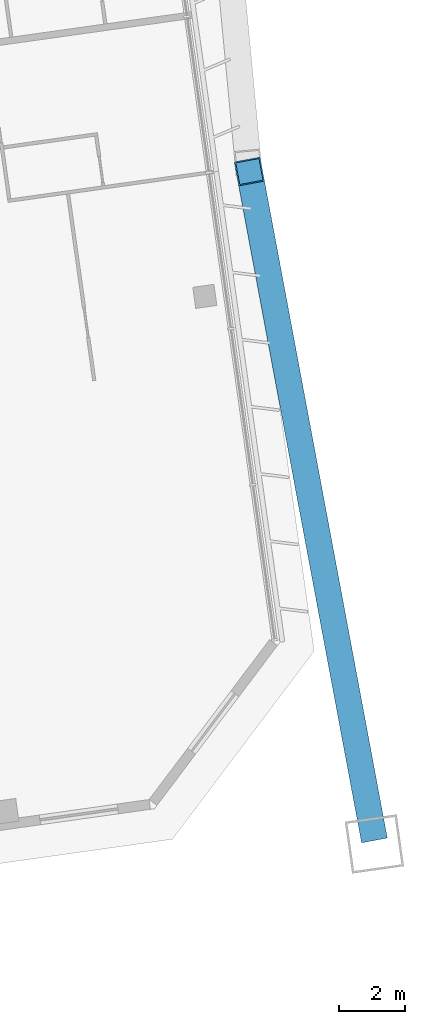
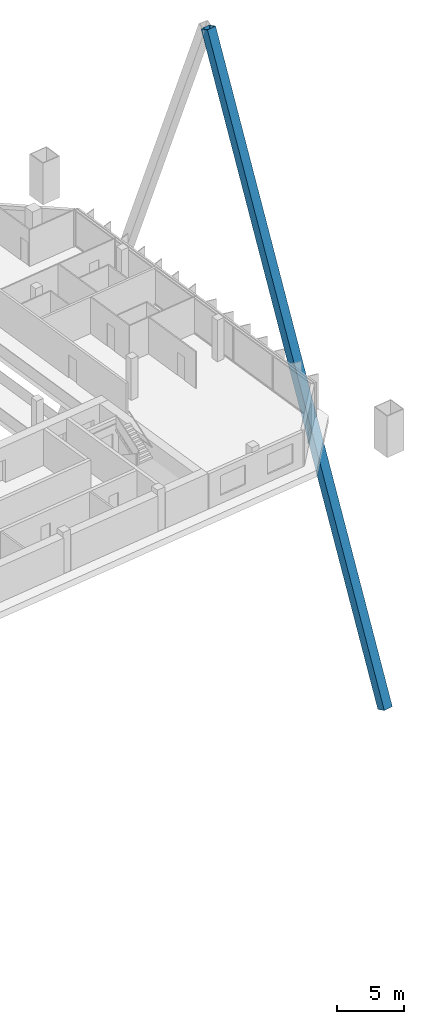
# One storey, part 15 of 33: 1 member.
"""IFC4 building model written with IfcOpenShell, lengths in metres."""

from ifc_helpers import new_model, si_unit, direction, frame, origin, origin_2d, place, context, subcontext, project, spatial, hollow_rectangle, extrude, material, material_profile, profile_set, type_object, element, save


model = new_model("IFC4")

# Units and contexts
model_context = context("Model", 3, precision=1e-05, world=origin(), true_north=direction((0.0, 1.0)))
body_context = subcontext(model_context, "Body", "Model", "MODEL_VIEW")
ifc_project = project(units=[si_unit("LENGTHUNIT", "METRE"), si_unit("AREAUNIT", "SQUARE_METRE"), si_unit("VOLUMEUNIT", "CUBIC_METRE"), si_unit("PLANEANGLEUNIT", "RADIAN"), si_unit("MASSUNIT", "GRAM", prefix="KILO")], contexts=[model_context])

# Site, building, storey
site_placement = place(None, origin())
site = spatial("IfcSite", under=ifc_project, at=site_placement, CompositionType="ELEMENT")
building_placement = place(site_placement, origin())
building = spatial("IfcBuilding", under=site, at=building_placement, Name="Mirante Cascada Hotel Towers", CompositionType="ELEMENT")
storey_placement = place(building_placement, frame((0.0, 0.0, 121.5)))
storey = spatial("IfcBuildingStorey", under=building, at=storey_placement, Name="L27", CompositionType="ELEMENT", Elevation=121.5)

# Member
ifc_material = material(Name="Steel ASTM A572 Gr 50", Category="steel")
ifc_material_profile = material_profile(ifc_material, hollow_rectangle(XDim=0.8, YDim=0.8, WallThickness=0.04, at=origin_2d()), Name="Box brace 800x800x40 ASTM A572 Gr 50")
ifc_profile_set = profile_set([ifc_material_profile], Name="Steel ASTM A572 Gr 50")
member_type = type_object("IfcMemberType", Name="Box brace 800x800x40 ASTM A572 Gr 50", PredefinedType="BRACE", material=ifc_profile_set)
member_placement = place(storey_placement, frame((106.1359, -12.0234, -23.9841), z_axis=(-0.0676509, 0.3618202, 0.92979), x_axis=(-0.9829657, -0.183789, 0.0)))
element("IfcMember", 1, at=member_placement, inside=storey, type_object=member_type, Name="brace T2 L27 1", PredefinedType="BRACE", context=body_context, shape_type="SweptSolid", body=[
    extrude(hollow_rectangle(XDim=0.8, YDim=0.8, WallThickness=0.04, at=origin_2d()), origin(), (0.0, 0.0, 1.0), 55.4286),
])

save(model, "model.ifc")
